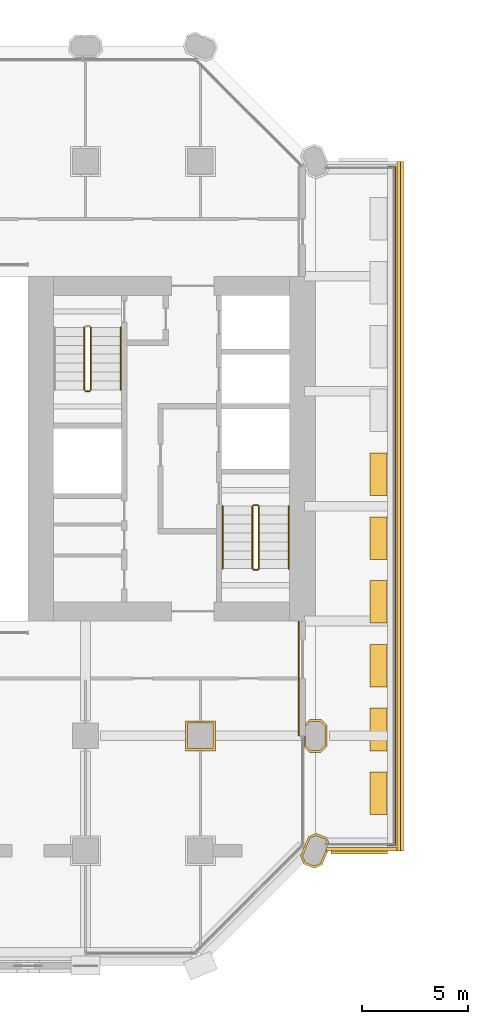
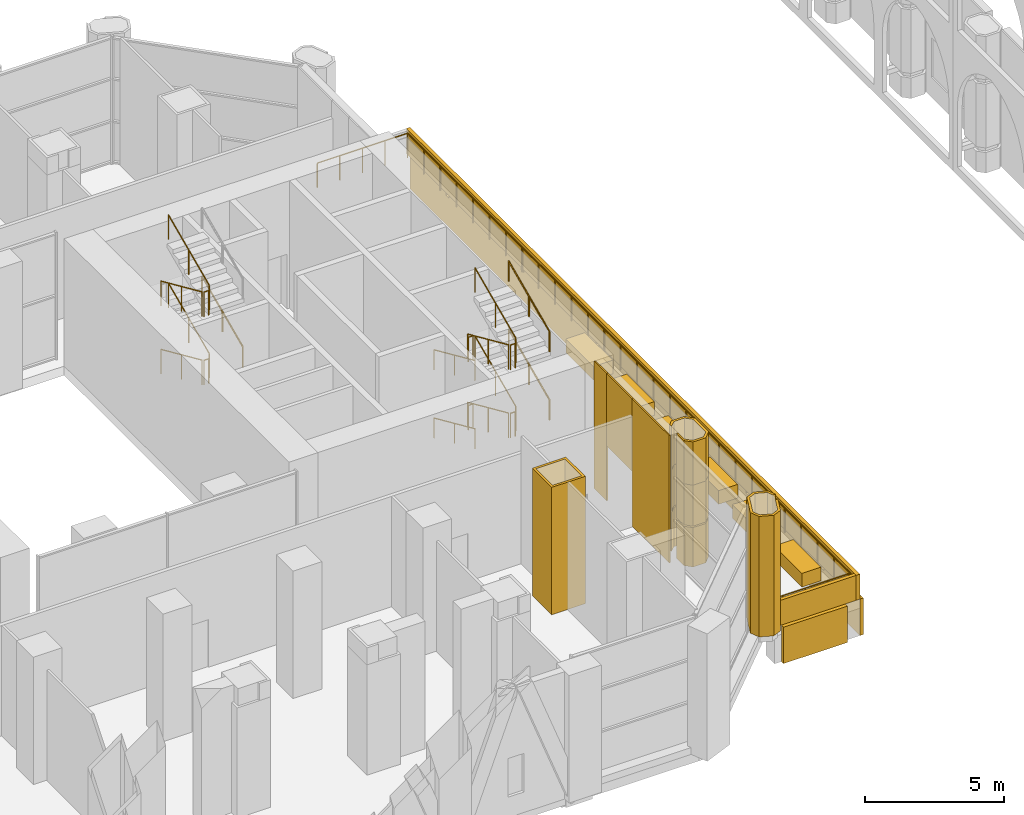
# One storey, part 25 of 34: 20 railings, 18 coverings.
"""IFC4 building model written with IfcOpenShell, lengths in metres."""

from ifc_helpers import new_model, si_unit, direction, frame, frame_2d, origin, origin_2d, place, context, subcontext, project, spatial, polyline, rectangle, circle, outline, extrude, material, layer, layer_set, type_object, element, save


model = new_model("IFC4")

# Units and contexts
model_context = context("Model", 3, precision=1e-05, world=origin(), true_north=direction((0.0, 1.0)))
body_context = subcontext(model_context, "Body", "Model", "MODEL_VIEW")
ifc_project = project(units=[si_unit("LENGTHUNIT", "METRE"), si_unit("AREAUNIT", "SQUARE_METRE"), si_unit("VOLUMEUNIT", "CUBIC_METRE"), si_unit("PLANEANGLEUNIT", "RADIAN"), si_unit("MASSUNIT", "GRAM", prefix="KILO")], contexts=[model_context])

# Site, building, storey
site_placement = place(None, origin())
site = spatial("IfcSite", under=ifc_project, at=site_placement, CompositionType="ELEMENT")
building_placement = place(site_placement, origin())
building = spatial("IfcBuilding", under=site, at=building_placement, Name="Tabaq Tower and Sports Hall", CompositionType="ELEMENT")
storey_placement = place(building_placement, frame((0.0, 0.0, 8.39990234375)))
storey = spatial("IfcBuildingStorey", under=building, at=storey_placement, Name="L01", CompositionType="ELEMENT", Elevation=8.39990234375)

# Coverings
ifc_material_1 = material(Name="Precast concrete C60/75", Category="concrete")
ifc_layer_1 = layer(ifc_material_1, 0.10009765625)
ifc_layer_set_1 = layer_set([ifc_layer_1], Name="Column cladding 100")
covering_type_1 = type_object("IfcCoveringType", Name="Column cladding 100", PredefinedType="CLADDING", material=ifc_layer_set_1)
covering_1_placement = place(storey_placement, origin())
element("IfcCovering", 1, at=covering_1_placement, inside=storey, type_object=covering_type_1, Name="Column cladding L01 CC-8C-P", PredefinedType="CLADDING", context=body_context, shape_type="SweptSolid", body=[
    extrude(outline(polyline([(37.100341796875, 11.499755859375), (38.499755859375, 11.499755859375), (38.499755859375, 10.100341796875), (37.100341796875, 10.100341796875), (37.100341796875, 11.499755859375)]), holes=[polyline([(38.400390625, 10.19970703125), (38.400390625, 11.400390625), (37.19970703125, 11.400390625), (37.19970703125, 10.19970703125), (38.400390625, 10.19970703125)])]), origin(), (0.0, 0.0, 1.0), 5.60009765625),
])
covering_2_placement = place(storey_placement, frame((0.0, 0.0, 0.300048828125)))
element("IfcCovering", 2, at=covering_2_placement, inside=storey, type_object=covering_type_1, Name="Column cladding L01 PC-9B-P", PredefinedType="CLADDING", context=body_context, shape_type="SweptSolid", body=[
    extrude(outline(polyline([(42.657470703125, 4.7861328125), (42.504150390625, 5.156494140625), (42.68212890625, 5.586181640625), (42.690185546875, 5.586181640625), (42.690185546875, 5.60595703125), (42.880126953125, 6.064208984375), (43.25048828125, 6.217529296875), (43.742431640625, 6.013916015625), (43.8681640625, 5.710205078125), (43.7607421875, 5.710205078125), (43.66650390625, 5.937744140625), (43.25048828125, 6.110107421875), (42.956298828125, 5.98828125), (42.61181640625, 5.156494140625), (42.733642578125, 4.8623046875), (43.149658203125, 4.68994140625), (43.44384765625, 4.811767578125), (43.69970703125, 5.4296875), (43.69970703125, 5.399658203125), (43.794921875, 5.399658203125), (43.519775390625, 4.73583984375), (43.149658203125, 4.582275390625), (42.657470703125, 4.7861328125)])), origin(), (0.0, 0.0, 1.0), 5.300048828125),
])
covering_3_placement = place(storey_placement, frame((0.0, 0.0, 0.1025390625)))
element("IfcCovering", 3, at=covering_3_placement, inside=storey, type_object=covering_type_1, Name="Column cladding L01 PC-9C-P", PredefinedType="CLADDING", context=body_context, shape_type="SweptSolid", body=[
    extrude(outline(polyline([(42.93359375, 10.025390625), (42.690185546875, 10.268798828125), (42.690185546875, 10.7998046875), (42.749755859375, 10.7998046875), (42.749755859375, 10.349853515625), (42.974853515625, 10.124755859375), (43.425048828125, 10.124755859375), (43.650390625, 10.349853515625), (43.650390625, 11.250244140625), (43.425048828125, 11.475341796875), (42.974853515625, 11.475341796875), (42.750244140625, 11.250732421875), (42.750244140625, 11.391357421875), (42.93359375, 11.57470703125), (43.46630859375, 11.57470703125), (43.749755859375, 11.291259765625), (43.749755859375, 10.30859375), (43.46630859375, 10.025390625), (42.93359375, 10.025390625)])), origin(), (0.0, 0.0, 1.0), 1.731689453125),
])
covering_4_placement = place(storey_placement, frame((0.0, 0.0, 1.899169921875)))
element("IfcCovering", 4, at=covering_4_placement, inside=storey, type_object=covering_type_1, Name="Column cladding L01 PC-9C-P 2", PredefinedType="CLADDING", context=body_context, shape_type="SweptSolid", body=[
    extrude(outline(polyline([(42.93359375, 10.025390625), (42.690185546875, 10.268798828125), (42.690185546875, 10.7998046875), (42.749755859375, 10.7998046875), (42.749755859375, 10.349853515625), (42.974853515625, 10.124755859375), (43.425048828125, 10.124755859375), (43.650390625, 10.349853515625), (43.650390625, 11.250244140625), (43.425048828125, 11.475341796875), (42.974853515625, 11.475341796875), (42.750244140625, 11.250732421875), (42.750244140625, 11.391357421875), (42.93359375, 11.57470703125), (43.46630859375, 11.57470703125), (43.749755859375, 11.291259765625), (43.749755859375, 10.30859375), (43.46630859375, 10.025390625), (42.93359375, 10.025390625)])), origin(), (0.0, 0.0, 1.0), 1.8017578125),
])
covering_5_placement = place(storey_placement, frame((0.0, 0.0, 3.700927734375)))
element("IfcCovering", 5, at=covering_5_placement, inside=storey, type_object=covering_type_1, Name="Column cladding L01 PC-9C-P head", PredefinedType="CLADDING", context=body_context, shape_type="SweptSolid", body=[
    extrude(outline(polyline([(42.690185546875, 10.268798828125), (42.690185546875, 10.7998046875), (42.749755859375, 10.7998046875), (42.749755859375, 10.349853515625), (42.974853515625, 10.124755859375), (43.425048828125, 10.124755859375), (43.650390625, 10.349853515625), (43.650390625, 11.250244140625), (43.425048828125, 11.475341796875), (42.974853515625, 11.475341796875), (42.750244140625, 11.250732421875), (42.750244140625, 11.391357421875), (42.93359375, 11.57470703125), (43.46630859375, 11.57470703125), (43.749755859375, 11.291259765625), (43.749755859375, 10.30859375), (43.46630859375, 10.025390625), (42.93359375, 10.025390625), (42.690185546875, 10.268798828125)])), origin(), (0.0, 0.0, 1.0), 1.899169921875),
])

# Railing
ifc_material_2 = material(Name="Stainless steel S316 and laminated glass", Category="steel")
railing_type_1 = type_object("IfcRailingType", Name="Guard 1100 steel and glass", PredefinedType="GUARDRAIL", material=ifc_material_2)
railing_1_placement = place(storey_placement, frame((43.199951171875, 5.64990234375, 0.0)))
element("IfcRailing", 6, at=railing_1_placement, inside=storey, type_object=railing_type_1, Name="Tray guard L01", PredefinedType="GUARDRAIL", context=body_context, shape_type="SweptSolid", body=[
    extrude(circle(Radius=0.02490234375, at=origin_2d()), frame((0.0, 0.0, 1.0751953125), z_axis=(1.0, 0.0, 0.0), x_axis=(0.0, 1.0, 0.0)), (0.0, 0.0, 1.0), 3.75),
    extrude(circle(Radius=0.02490234375, at=origin_2d()), frame((3.75, 0.0, 1.0751953125), z_axis=(0.0, 1.0, 0.0), x_axis=(-1.0, 0.0, 0.0)), (0.0, 0.0, 1.0), 31.900146484375),
    extrude(circle(Radius=0.02490234375, at=origin_2d()), frame((3.75, 31.900146484375, 1.0751953125), z_axis=(-1.0, 0.0, 0.0), x_axis=(0.0, -1.0, 0.0)), (0.0, 0.0, 1.0), 3.75),
    extrude(circle(Radius=0.02001953125, at=origin_2d()), origin(), (0.0, 0.0, 1.0), 1.050048828125),
    extrude(circle(Radius=0.02001953125, at=origin_2d()), frame((0.9375, 0.0, 0.0)), (0.0, 0.0, 1.0), 1.050048828125),
    extrude(circle(Radius=0.02001953125, at=origin_2d()), frame((1.875, 0.0, 0.0)), (0.0, 0.0, 1.0), 1.050048828125),
    extrude(circle(Radius=0.02001953125, at=origin_2d()), frame((2.8125, 0.0, 0.0)), (0.0, 0.0, 1.0), 1.050048828125),
    extrude(circle(Radius=0.02001953125, at=origin_2d()), frame((3.75, 0.0, 0.0)), (0.0, 0.0, 1.0), 1.050048828125),
    extrude(circle(Radius=0.02001953125, at=origin_2d()), frame((3.75, 1.181396484375, 0.0)), (0.0, 0.0, 1.0), 1.050048828125),
    extrude(circle(Radius=0.02001953125, at=origin_2d()), frame((3.75, 2.363037109375, 0.0)), (0.0, 0.0, 1.0), 1.050048828125),
    extrude(circle(Radius=0.02001953125, at=origin_2d()), frame((3.75, 3.54443359375, 0.0)), (0.0, 0.0, 1.0), 1.050048828125),
    extrude(circle(Radius=0.02001953125, at=origin_2d()), frame((3.75, 4.725830078125, 0.0)), (0.0, 0.0, 1.0), 1.050048828125),
    extrude(circle(Radius=0.02001953125, at=origin_2d()), frame((3.75, 5.907470703125, 0.0)), (0.0, 0.0, 1.0), 1.050048828125),
    extrude(circle(Radius=0.02001953125, at=origin_2d()), frame((3.75, 7.0888671875, 0.0)), (0.0, 0.0, 1.0), 1.050048828125),
    extrude(circle(Radius=0.02001953125, at=origin_2d()), frame((3.75, 8.2705078125, 0.0)), (0.0, 0.0, 1.0), 1.050048828125),
    extrude(circle(Radius=0.02001953125, at=origin_2d()), frame((3.75, 9.451904296875, 0.0)), (0.0, 0.0, 1.0), 1.050048828125),
    extrude(circle(Radius=0.02001953125, at=origin_2d()), frame((3.75, 10.63330078125, 0.0)), (0.0, 0.0, 1.0), 1.050048828125),
    extrude(circle(Radius=0.02001953125, at=origin_2d()), frame((3.75, 11.81494140625, 0.0)), (0.0, 0.0, 1.0), 1.050048828125),
    extrude(circle(Radius=0.02001953125, at=origin_2d()), frame((3.75, 12.996337890625, 0.0)), (0.0, 0.0, 1.0), 1.050048828125),
    extrude(circle(Radius=0.02001953125, at=origin_2d()), frame((3.75, 14.177734375, 0.0)), (0.0, 0.0, 1.0), 1.050048828125),
    extrude(circle(Radius=0.02001953125, at=origin_2d()), frame((3.75, 15.359375, 0.0)), (0.0, 0.0, 1.0), 1.050048828125),
    extrude(circle(Radius=0.02001953125, at=origin_2d()), frame((3.75, 16.540771484375, 0.0)), (0.0, 0.0, 1.0), 1.050048828125),
    extrude(circle(Radius=0.02001953125, at=origin_2d()), frame((3.75, 17.722412109375, 0.0)), (0.0, 0.0, 1.0), 1.050048828125),
    extrude(circle(Radius=0.02001953125, at=origin_2d()), frame((3.75, 18.90380859375, 0.0)), (0.0, 0.0, 1.0), 1.050048828125),
    extrude(circle(Radius=0.02001953125, at=origin_2d()), frame((3.75, 20.085205078125, 0.0)), (0.0, 0.0, 1.0), 1.050048828125),
    extrude(circle(Radius=0.02001953125, at=origin_2d()), frame((3.75, 21.266845703125, 0.0)), (0.0, 0.0, 1.0), 1.050048828125),
    extrude(circle(Radius=0.02001953125, at=origin_2d()), frame((3.75, 22.4482421875, 0.0)), (0.0, 0.0, 1.0), 1.050048828125),
    extrude(circle(Radius=0.02001953125, at=origin_2d()), frame((3.75, 23.629638671875, 0.0)), (0.0, 0.0, 1.0), 1.050048828125),
    extrude(circle(Radius=0.02001953125, at=origin_2d()), frame((3.75, 24.811279296875, 0.0)), (0.0, 0.0, 1.0), 1.050048828125),
    extrude(circle(Radius=0.02001953125, at=origin_2d()), frame((3.75, 25.99267578125, 0.0)), (0.0, 0.0, 1.0), 1.050048828125),
    extrude(circle(Radius=0.02001953125, at=origin_2d()), frame((3.75, 27.17431640625, 0.0)), (0.0, 0.0, 1.0), 1.050048828125),
    extrude(circle(Radius=0.02001953125, at=origin_2d()), frame((3.75, 28.355712890625, 0.0)), (0.0, 0.0, 1.0), 1.050048828125),
    extrude(circle(Radius=0.02001953125, at=origin_2d()), frame((3.75, 29.537109375, 0.0)), (0.0, 0.0, 1.0), 1.050048828125),
    extrude(circle(Radius=0.02001953125, at=origin_2d()), frame((3.75, 30.71875, 0.0)), (0.0, 0.0, 1.0), 1.050048828125),
    extrude(circle(Radius=0.02001953125, at=origin_2d()), frame((3.75, 31.900146484375, 0.0)), (0.0, 0.0, 1.0), 1.050048828125),
    extrude(circle(Radius=0.02001953125, at=origin_2d()), frame((2.8125, 31.900146484375, 0.0)), (0.0, 0.0, 1.0), 1.050048828125),
    extrude(circle(Radius=0.02001953125, at=origin_2d()), frame((1.875, 31.900146484375, 0.0)), (0.0, 0.0, 1.0), 1.050048828125),
    extrude(circle(Radius=0.02001953125, at=origin_2d()), frame((0.9375, 31.900146484375, 0.0)), (0.0, 0.0, 1.0), 1.050048828125),
    extrude(circle(Radius=0.02001953125, at=origin_2d()), frame((0.0, 31.900146484375, 0.0)), (0.0, 0.0, 1.0), 1.050048828125),
])

# Coverings
ifc_material_3 = material(Name="Planting soil and drainage layer")
covering_type_2 = type_object("IfcCoveringType", Name="Planter 2000x800x600", PredefinedType="USERDEFINED", material=ifc_material_3)
for number, where, z_axis, x_axis, name in (
    (7, (46.169921875, 8.10009765625, 0.0), (0.0, 0.0, 1.0), (0.0, 1.0, 0.0), "Planter L01"),
    (8, (46.169921875, 11.10009765625, 0.0), (0.0, 0.0, 1.0), (0.0, 1.0, 0.0), "Planter L01"),
    (9, (46.169921875, 14.10009765625, 0.0), (0.0, 0.0, 1.0), (0.0, 1.0, 0.0), "Planter L01"),
    (10, (46.169921875, 17.10009765625, 0.0), (0.0, 0.0, 1.0), (0.0, 1.0, 0.0), "Planter L01"),
    (11, (46.169921875, 20.10009765625, 0.0), (0.0, 0.0, 1.0), (0.0, 1.0, 0.0), "Planter L01"),
    (12, (46.169921875, 23.10009765625, 0.0), (0.0, 0.0, 1.0), (0.0, 1.0, 0.0), "Planter L01"),
):
    element("IfcCovering", number, at=place(storey_placement, frame(where, z_axis=z_axis, x_axis=x_axis)), inside=storey, type_object=covering_type_2, Name=name, ObjectType="PLANTER", PredefinedType="USERDEFINED", context=body_context, shape_type="SweptSolid", body=[
        extrude(rectangle(XDim=2.0, YDim=0.800048828125, at=origin_2d()), origin(), (0.0, 0.0, 1.0), 0.60009765625),
    ])

# Railings
ifc_material_4 = material(Name="Stainless steel", Category="steel")
railing_type_2 = type_object("IfcRailingType", Name="Stair guard", PredefinedType="GUARDRAIL", material=ifc_material_4)
railing_2_placement = place(storey_placement, frame((40.25, 21.60009765625, 0.1875)))
element("IfcRailing", 13, at=railing_2_placement, inside=storey, type_object=railing_type_2, Name="L01 ST3 stair guard 1", PredefinedType="GUARDRAIL", context=body_context, shape_type="SweptSolid", body=[
    extrude(circle(Radius=0.02392578125, at=origin_2d()), frame((0.0, 0.0, 1.076171875), z_axis=(0.0, -0.913147458458, 0.407629389411), x_axis=(1.0, 0.0, 0.0)), (0.0, 0.0, 1.0), 3.2197265625),
    extrude(circle(Radius=0.02099609375, at=origin_2d()), origin(), (0.0, 0.0, 1.0), 1.052001953125),
    extrude(circle(Radius=0.02099609375, at=origin_2d()), frame((0.0, -1.47021484375, 0.65625)), (0.0, 0.0, 1.0), 1.052001953125),
    extrude(circle(Radius=0.02099609375, at=origin_2d()), frame((0.0, -2.940185546875, 1.3125)), (0.0, 0.0, 1.0), 1.052001953125),
])
railing_3_placement = place(storey_placement, frame((40.300048828125, 18.610107421875, 1.5)))
element("IfcRailing", 14, at=railing_3_placement, inside=storey, type_object=railing_type_2, Name="L01 ST3 stair guard 2", PredefinedType="GUARDRAIL", context=body_context, shape_type="SweptSolid", body=[
    extrude(circle(Radius=0.02392578125, at=origin_2d()), frame((0.0, 0.0, 1.076171875), z_axis=(1.0, 0.0, 0.0), x_axis=(0.0, 1.0, 0.0)), (0.0, 0.0, 1.0), 0.199951171875),
    extrude(circle(Radius=0.02099609375, at=origin_2d()), origin(), (0.0, 0.0, 1.0), 1.052001953125),
    extrude(circle(Radius=0.02099609375, at=origin_2d()), frame((0.199951171875, 0.0, 0.0)), (0.0, 0.0, 1.0), 1.052001953125),
])
railing_4_placement = place(storey_placement, frame((40.550048828125, 18.659912109375, 1.6875)))
element("IfcRailing", 15, at=railing_4_placement, inside=storey, type_object=railing_type_2, Name="L01 ST3 stair guard 3", PredefinedType="GUARDRAIL", context=body_context, shape_type="SweptSolid", body=[
    extrude(circle(Radius=0.02392578125, at=origin_2d()), frame((0.0, 0.0, 1.076171875), z_axis=(0.0, 0.913147458458, 0.407629389411), x_axis=(-1.0, 0.0, 0.0)), (0.0, 0.0, 1.0), 3.2197265625),
    extrude(circle(Radius=0.02099609375, at=origin_2d()), origin(), (0.0, 0.0, 1.0), 1.052001953125),
    extrude(circle(Radius=0.02099609375, at=origin_2d()), frame((0.0, 1.47021484375, 0.65625)), (0.0, 0.0, 1.0), 1.052001953125),
    extrude(circle(Radius=0.02099609375, at=origin_2d()), frame((0.0, 2.940185546875, 1.3125)), (0.0, 0.0, 1.0), 1.052001953125),
])
railing_5_placement = place(storey_placement, frame((40.300048828125, 21.64990234375, 3.0)))
element("IfcRailing", 16, at=railing_5_placement, inside=storey, type_object=railing_type_2, Name="L01 ST3 stair guard 4", PredefinedType="GUARDRAIL", context=body_context, shape_type="SweptSolid", body=[
    extrude(circle(Radius=0.02392578125, at=origin_2d()), frame((0.0, 0.0, 1.076171875), z_axis=(1.0, 0.0, 0.0), x_axis=(0.0, 1.0, 0.0)), (0.0, 0.0, 1.0), 0.199951171875),
    extrude(circle(Radius=0.02099609375, at=origin_2d()), origin(), (0.0, 0.0, 1.0), 1.052001953125),
    extrude(circle(Radius=0.02099609375, at=origin_2d()), frame((0.199951171875, 0.0, 0.0)), (0.0, 0.0, 1.0), 1.052001953125),
])
railing_6_placement = place(storey_placement, frame((40.25, 21.60009765625, 3.1875)))
element("IfcRailing", 17, at=railing_6_placement, inside=storey, type_object=railing_type_2, Name="L01 ST3 stair guard 5", PredefinedType="GUARDRAIL", context=body_context, shape_type="SweptSolid", body=[
    extrude(circle(Radius=0.02392578125, at=origin_2d()), frame((0.0, 0.0, 1.076171875), z_axis=(0.0, -0.913147458458, 0.407629389411), x_axis=(1.0, 0.0, 0.0)), (0.0, 0.0, 1.0), 3.2197265625),
    extrude(circle(Radius=0.02099609375, at=origin_2d()), origin(), (0.0, 0.0, 1.0), 1.052001953125),
    extrude(circle(Radius=0.02099609375, at=origin_2d()), frame((0.0, -1.47021484375, 0.65625)), (0.0, 0.0, 1.0), 1.052001953125),
    extrude(circle(Radius=0.02099609375, at=origin_2d()), frame((0.0, -2.940185546875, 1.3125)), (0.0, 0.0, 1.0), 1.052001953125),
])
railing_7_placement = place(storey_placement, frame((40.300048828125, 18.610107421875, 4.5)))
element("IfcRailing", 18, at=railing_7_placement, inside=storey, type_object=railing_type_2, Name="L01 ST3 stair guard 6", PredefinedType="GUARDRAIL", context=body_context, shape_type="SweptSolid", body=[
    extrude(circle(Radius=0.02392578125, at=origin_2d()), frame((0.0, 0.0, 1.076171875), z_axis=(1.0, 0.0, 0.0), x_axis=(0.0, 1.0, 0.0)), (0.0, 0.0, 1.0), 0.199951171875),
    extrude(circle(Radius=0.02099609375, at=origin_2d()), origin(), (0.0, 0.0, 1.0), 1.052001953125),
    extrude(circle(Radius=0.02099609375, at=origin_2d()), frame((0.199951171875, 0.0, 0.0)), (0.0, 0.0, 1.0), 1.052001953125),
])
railing_8_placement = place(storey_placement, frame((40.550048828125, 18.659912109375, 4.6875)))
element("IfcRailing", 19, at=railing_8_placement, inside=storey, type_object=railing_type_2, Name="L01 ST3 stair guard 7", PredefinedType="GUARDRAIL", context=body_context, shape_type="SweptSolid", body=[
    extrude(circle(Radius=0.02392578125, at=origin_2d()), frame((0.0, 0.0, 1.076171875), z_axis=(0.0, 0.913147458458, 0.407629389411), x_axis=(-1.0, 0.0, 0.0)), (0.0, 0.0, 1.0), 3.2197265625),
    extrude(circle(Radius=0.02099609375, at=origin_2d()), origin(), (0.0, 0.0, 1.0), 1.052001953125),
    extrude(circle(Radius=0.02099609375, at=origin_2d()), frame((0.0, 1.47021484375, 0.65625)), (0.0, 0.0, 1.0), 1.052001953125),
    extrude(circle(Radius=0.02099609375, at=origin_2d()), frame((0.0, 2.940185546875, 1.3125)), (0.0, 0.0, 1.0), 1.052001953125),
])
railing_9_placement = place(storey_placement, frame((40.300048828125, 21.64990234375, 0.0)))
element("IfcRailing", 20, at=railing_9_placement, inside=storey, type_object=railing_type_2, Name="L01 ST3 stair guard 8", PredefinedType="GUARDRAIL", context=body_context, shape_type="SweptSolid", body=[
    extrude(circle(Radius=0.02392578125, at=origin_2d()), frame((0.0, 0.0, 1.076171875), z_axis=(1.0, 0.0, 0.0), x_axis=(0.0, 1.0, 0.0)), (0.0, 0.0, 1.0), 0.199951171875),
    extrude(circle(Radius=0.02099609375, at=origin_2d()), origin(), (0.0, 0.0, 1.0), 1.052001953125),
    extrude(circle(Radius=0.02099609375, at=origin_2d()), frame((0.199951171875, 0.0, 0.0)), (0.0, 0.0, 1.0), 1.052001953125),
])
railing_10_placement = place(storey_placement, frame((32.35009765625, 30.0, 0.1875)))
element("IfcRailing", 21, at=railing_10_placement, inside=storey, type_object=railing_type_2, Name="L01 ST4 stair guard 1", PredefinedType="GUARDRAIL", context=body_context, shape_type="SweptSolid", body=[
    extrude(circle(Radius=0.02392578125, at=origin_2d()), frame((0.0, 0.0, 1.076171875), z_axis=(0.0, -0.913134858117, 0.407657614785), x_axis=(1.0, 0.0, 0.0)), (0.0, 0.0, 1.0), 3.2197265625),
    extrude(circle(Radius=0.02099609375, at=origin_2d()), origin(), (0.0, 0.0, 1.0), 1.052001953125),
    extrude(circle(Radius=0.02099609375, at=origin_2d()), frame((0.0, -1.469970703125, 0.65625)), (0.0, 0.0, 1.0), 1.052001953125),
    extrude(circle(Radius=0.02099609375, at=origin_2d()), frame((0.0, -2.93994140625, 1.3125)), (0.0, 0.0, 1.0), 1.052001953125),
])
railing_11_placement = place(storey_placement, frame((32.39990234375, 27.010009765625, 1.5)))
element("IfcRailing", 22, at=railing_11_placement, inside=storey, type_object=railing_type_2, Name="L01 ST4 stair guard 2", PredefinedType="GUARDRAIL", context=body_context, shape_type="SweptSolid", body=[
    extrude(circle(Radius=0.02392578125, at=origin_2d()), frame((0.0, 0.0, 1.076171875), z_axis=(1.0, 0.0, 0.0), x_axis=(0.0, 1.0, 0.0)), (0.0, 0.0, 1.0), 0.2001953125),
    extrude(circle(Radius=0.02099609375, at=origin_2d()), origin(), (0.0, 0.0, 1.0), 1.052001953125),
    extrude(circle(Radius=0.02099609375, at=origin_2d()), frame((0.2001953125, 0.0, 0.0)), (0.0, 0.0, 1.0), 1.052001953125),
])
railing_12_placement = place(storey_placement, frame((32.64990234375, 27.06005859375, 1.6875)))
element("IfcRailing", 23, at=railing_12_placement, inside=storey, type_object=railing_type_2, Name="L01 ST4 stair guard 3", PredefinedType="GUARDRAIL", context=body_context, shape_type="SweptSolid", body=[
    extrude(circle(Radius=0.02392578125, at=origin_2d()), frame((0.0, 0.0, 1.076171875), z_axis=(0.0, 0.913134858117, 0.407657614785), x_axis=(-1.0, 0.0, 0.0)), (0.0, 0.0, 1.0), 3.2197265625),
    extrude(circle(Radius=0.02099609375, at=origin_2d()), origin(), (0.0, 0.0, 1.0), 1.052001953125),
    extrude(circle(Radius=0.02099609375, at=origin_2d()), frame((0.0, 1.469970703125, 0.65625)), (0.0, 0.0, 1.0), 1.052001953125),
    extrude(circle(Radius=0.02099609375, at=origin_2d()), frame((0.0, 2.93994140625, 1.3125)), (0.0, 0.0, 1.0), 1.052001953125),
])
railing_13_placement = place(storey_placement, frame((32.35009765625, 30.0, 3.1875)))
element("IfcRailing", 24, at=railing_13_placement, inside=storey, type_object=railing_type_2, Name="L01 ST4 stair guard 5", PredefinedType="GUARDRAIL", context=body_context, shape_type="SweptSolid", body=[
    extrude(circle(Radius=0.02392578125, at=origin_2d()), frame((0.0, 0.0, 1.076171875), z_axis=(0.0, -0.913134858117, 0.407657614785), x_axis=(1.0, 0.0, 0.0)), (0.0, 0.0, 1.0), 3.2197265625),
    extrude(circle(Radius=0.02099609375, at=origin_2d()), origin(), (0.0, 0.0, 1.0), 1.052001953125),
    extrude(circle(Radius=0.02099609375, at=origin_2d()), frame((0.0, -1.469970703125, 0.65625)), (0.0, 0.0, 1.0), 1.052001953125),
    extrude(circle(Radius=0.02099609375, at=origin_2d()), frame((0.0, -2.93994140625, 1.3125)), (0.0, 0.0, 1.0), 1.052001953125),
])
railing_14_placement = place(storey_placement, frame((32.39990234375, 27.010009765625, 4.5)))
element("IfcRailing", 25, at=railing_14_placement, inside=storey, type_object=railing_type_2, Name="L01 ST4 stair guard 6", PredefinedType="GUARDRAIL", context=body_context, shape_type="SweptSolid", body=[
    extrude(circle(Radius=0.02392578125, at=origin_2d()), frame((0.0, 0.0, 1.076171875), z_axis=(1.0, 0.0, 0.0), x_axis=(0.0, 1.0, 0.0)), (0.0, 0.0, 1.0), 0.2001953125),
    extrude(circle(Radius=0.02099609375, at=origin_2d()), origin(), (0.0, 0.0, 1.0), 1.052001953125),
    extrude(circle(Radius=0.02099609375, at=origin_2d()), frame((0.2001953125, 0.0, 0.0)), (0.0, 0.0, 1.0), 1.052001953125),
])
railing_15_placement = place(storey_placement, frame((32.64990234375, 27.06005859375, 4.6875)))
element("IfcRailing", 26, at=railing_15_placement, inside=storey, type_object=railing_type_2, Name="L01 ST4 stair guard 7", PredefinedType="GUARDRAIL", context=body_context, shape_type="SweptSolid", body=[
    extrude(circle(Radius=0.02392578125, at=origin_2d()), frame((0.0, 0.0, 1.076171875), z_axis=(0.0, 0.913134858117, 0.407657614785), x_axis=(-1.0, 0.0, 0.0)), (0.0, 0.0, 1.0), 3.2197265625),
    extrude(circle(Radius=0.02099609375, at=origin_2d()), origin(), (0.0, 0.0, 1.0), 1.052001953125),
    extrude(circle(Radius=0.02099609375, at=origin_2d()), frame((0.0, 1.469970703125, 0.65625)), (0.0, 0.0, 1.0), 1.052001953125),
    extrude(circle(Radius=0.02099609375, at=origin_2d()), frame((0.0, 2.93994140625, 1.3125)), (0.0, 0.0, 1.0), 1.052001953125),
])
ifc_material_5 = material(Name="Stainless steel", Category="steel")
railing_type_3 = type_object("IfcRailingType", Name="Stair handrail", PredefinedType="HANDRAIL", material=ifc_material_5)
railing_16_placement = place(storey_placement, frame((38.85009765625, 21.60009765625, 0.1875)))
element("IfcRailing", 27, at=railing_16_placement, inside=storey, type_object=railing_type_3, Name="L01 ST3 stair handrail 1", PredefinedType="HANDRAIL", context=body_context, shape_type="SweptSolid", body=[
    extrude(circle(Radius=0.02392578125, at=origin_2d()), frame((0.0, 0.0, 0.8759765625), z_axis=(0.0, -0.913147458458, 0.407629389411), x_axis=(1.0, 0.0, 0.0)), (0.0, 0.0, 1.0), 3.2197265625),
    extrude(circle(Radius=0.02099609375, at=origin_2d()), origin(), (0.0, 0.0, 1.0), 0.851806640625),
    extrude(circle(Radius=0.02099609375, at=origin_2d()), frame((0.0, -1.47021484375, 0.65625)), (0.0, 0.0, 1.0), 0.851806640625),
    extrude(circle(Radius=0.02099609375, at=origin_2d()), frame((0.0, -2.940185546875, 1.3125)), (0.0, 0.0, 1.0), 0.851806640625),
])
railing_17_placement = place(storey_placement, frame((41.949951171875, 18.659912109375, 1.6875)))
element("IfcRailing", 28, at=railing_17_placement, inside=storey, type_object=railing_type_3, Name="L01 ST3 stair handrail 2", PredefinedType="HANDRAIL", context=body_context, shape_type="SweptSolid", body=[
    extrude(circle(Radius=0.02392578125, at=origin_2d()), frame((0.0, 0.0, 0.8759765625), z_axis=(0.0, 0.913147458458, 0.407629389411), x_axis=(-1.0, 0.0, 0.0)), (0.0, 0.0, 1.0), 3.2197265625),
    extrude(circle(Radius=0.02099609375, at=origin_2d()), origin(), (0.0, 0.0, 1.0), 0.851806640625),
    extrude(circle(Radius=0.02099609375, at=origin_2d()), frame((0.0, 1.47021484375, 0.65625)), (0.0, 0.0, 1.0), 0.851806640625),
    extrude(circle(Radius=0.02099609375, at=origin_2d()), frame((0.0, 2.940185546875, 1.3125)), (0.0, 0.0, 1.0), 0.851806640625),
])
railing_18_placement = place(storey_placement, frame((38.85009765625, 21.60009765625, 3.1875)))
element("IfcRailing", 29, at=railing_18_placement, inside=storey, type_object=railing_type_3, Name="L01 ST3 stair handrail 3", PredefinedType="HANDRAIL", context=body_context, shape_type="SweptSolid", body=[
    extrude(circle(Radius=0.02392578125, at=origin_2d()), frame((0.0, 0.0, 0.8759765625), z_axis=(0.0, -0.913147458458, 0.407629389411), x_axis=(1.0, 0.0, 0.0)), (0.0, 0.0, 1.0), 3.2197265625),
    extrude(circle(Radius=0.02099609375, at=origin_2d()), origin(), (0.0, 0.0, 1.0), 0.851806640625),
    extrude(circle(Radius=0.02099609375, at=origin_2d()), frame((0.0, -1.47021484375, 0.65625)), (0.0, 0.0, 1.0), 0.851806640625),
    extrude(circle(Radius=0.02099609375, at=origin_2d()), frame((0.0, -2.940185546875, 1.3125)), (0.0, 0.0, 1.0), 0.851806640625),
])
railing_19_placement = place(storey_placement, frame((41.949951171875, 18.659912109375, 4.6875)))
element("IfcRailing", 30, at=railing_19_placement, inside=storey, type_object=railing_type_3, Name="L01 ST3 stair handrail 4", PredefinedType="HANDRAIL", context=body_context, shape_type="SweptSolid", body=[
    extrude(circle(Radius=0.02392578125, at=origin_2d()), frame((0.0, 0.0, 0.8759765625), z_axis=(0.0, 0.913147458458, 0.407629389411), x_axis=(-1.0, 0.0, 0.0)), (0.0, 0.0, 1.0), 3.2197265625),
    extrude(circle(Radius=0.02099609375, at=origin_2d()), origin(), (0.0, 0.0, 1.0), 0.851806640625),
    extrude(circle(Radius=0.02099609375, at=origin_2d()), frame((0.0, 1.47021484375, 0.65625)), (0.0, 0.0, 1.0), 0.851806640625),
    extrude(circle(Radius=0.02099609375, at=origin_2d()), frame((0.0, 2.940185546875, 1.3125)), (0.0, 0.0, 1.0), 0.851806640625),
])
railing_20_placement = place(storey_placement, frame((34.050048828125, 27.06005859375, 1.6875)))
element("IfcRailing", 31, at=railing_20_placement, inside=storey, type_object=railing_type_3, Name="L01 ST4 stair handrail 2", PredefinedType="HANDRAIL", context=body_context, shape_type="SweptSolid", body=[
    extrude(circle(Radius=0.02392578125, at=origin_2d()), frame((0.0, 0.0, 0.8759765625), z_axis=(0.0, 0.913134858117, 0.407657614785), x_axis=(-1.0, 0.0, 0.0)), (0.0, 0.0, 1.0), 3.2197265625),
    extrude(circle(Radius=0.02099609375, at=origin_2d()), origin(), (0.0, 0.0, 1.0), 0.851806640625),
    extrude(circle(Radius=0.02099609375, at=origin_2d()), frame((0.0, 1.469970703125, 0.65625)), (0.0, 0.0, 1.0), 0.851806640625),
    extrude(circle(Radius=0.02099609375, at=origin_2d()), frame((0.0, 2.93994140625, 1.3125)), (0.0, 0.0, 1.0), 0.851806640625),
])

# Coverings
ifc_material_6 = material(Name="Precast concrete C60/75", Category="concrete")
ifc_layer_2 = layer(ifc_material_6, 0.14990234375)
ifc_layer_set_2 = layer_set([ifc_layer_2], Name="Tray fascia 1200")
covering_type_3 = type_object("IfcCoveringType", Name="Tray fascia 1200", PredefinedType="CLADDING", material=ifc_layer_set_2)
covering_6_placement = place(storey_placement, frame((43.9404296875, 5.324951171875, -1.599853515625), z_axis=(0.0, 0.0, 1.0), x_axis=(1.0, 0.0, 0.0)))
element("IfcCovering", 32, at=covering_6_placement, inside=storey, type_object=covering_type_3, Name="Tray fascia L01 EBT", PredefinedType="CLADDING", context=body_context, shape_type="SweptSolid", body=[
    extrude(rectangle(XDim=2.65966796875, YDim=0.14990234375, at=frame_2d((1.329833984375, 0.0))), origin(), (0.0, 0.0, 1.0), 1.599853515625),
])
covering_7_placement = place(storey_placement, frame((47.27490234375, 5.39990234375, -1.599853515625), z_axis=(0.0, 0.0, 1.0), x_axis=(0.0, 1.0, 0.0)))
element("IfcCovering", 33, at=covering_7_placement, inside=storey, type_object=covering_type_3, Name="Tray fascia L01 EBT", PredefinedType="CLADDING", context=body_context, shape_type="SweptSolid", body=[
    extrude(outline(polyline([(0.0, 0.0), (32.400146484375, 0.0), (32.400146484375, 1.599853515625), (0.0, 1.599853515625), (0.0, 0.0)]), holes=[polyline([(2.81005859375, 1.510009765625), (2.81005859375, 1.2900390625), (2.590087890625, 1.2900390625), (2.590087890625, 1.510009765625), (2.81005859375, 1.510009765625)]), polyline([(8.2099609375, 1.2900390625), (7.989990234375, 1.2900390625), (7.989990234375, 1.510009765625), (8.2099609375, 1.510009765625), (8.2099609375, 1.2900390625)]), polyline([(13.610107421875, 1.2900390625), (13.389892578125, 1.2900390625), (13.389892578125, 1.510009765625), (13.610107421875, 1.510009765625), (13.610107421875, 1.2900390625)]), polyline([(19.010009765625, 1.510009765625), (19.010009765625, 1.2900390625), (18.7900390625, 1.2900390625), (18.7900390625, 1.510009765625), (19.010009765625, 1.510009765625)]), polyline([(24.409912109375, 1.2900390625), (24.18994140625, 1.2900390625), (24.18994140625, 1.510009765625), (24.409912109375, 1.510009765625), (24.409912109375, 1.2900390625)]), polyline([(29.81005859375, 1.2900390625), (29.590087890625, 1.2900390625), (29.590087890625, 1.510009765625), (29.81005859375, 1.510009765625), (29.81005859375, 1.2900390625)])]), frame((0.0, 0.074951171875, 0.0), z_axis=(0.0, -1.0, 0.0), x_axis=(1.0, 0.0, 0.0)), (0.0, 0.0, 1.0), 0.14990234375),
])
ifc_material_7 = material(Name="Precast concrete C60/75", Category="concrete")
ifc_layer_3 = layer(ifc_material_7, 0.14990234375)
ifc_layer_set_3 = layer_set([ifc_layer_3], Name="Tray upstand cladding 1100")
covering_type_4 = type_object("IfcCoveringType", Name="Tray upstand cladding 1100", PredefinedType="CLADDING", material=ifc_layer_set_3)
covering_8_placement = place(storey_placement, frame((47.125, 5.39990234375, 0.0), z_axis=(0.0, 0.0, 1.0), x_axis=(0.0, 1.0, 0.0)))
element("IfcCovering", 34, at=covering_8_placement, inside=storey, type_object=covering_type_4, Name="Tray upstand cladding L01", PredefinedType="CLADDING", context=body_context, shape_type="SweptSolid", body=[
    extrude(rectangle(XDim=32.400146484375, YDim=0.14990234375, at=frame_2d((16.2001953125, 0.0))), origin(), (0.0, 0.0, 1.0), 1.10009765625),
])
covering_9_placement = place(storey_placement, frame((43.699951171875, 5.47509765625, 0.0), z_axis=(0.0, 0.0, 1.0), x_axis=(1.0, 0.0, 0.0)))
element("IfcCovering", 35, at=covering_9_placement, inside=storey, type_object=covering_type_4, Name="Tray upstand cladding L01", PredefinedType="CLADDING", context=body_context, shape_type="SweptSolid", body=[
    extrude(rectangle(XDim=3.35009765625, YDim=0.14990234375, at=frame_2d((1.675048828125, 0.0))), origin(), (0.0, 0.0, 1.0), 1.10009765625),
])
ifc_material_8 = material(Name="Precast concrete C60/75", Category="concrete")
ifc_layer_4 = layer(ifc_material_8, 0.06005859375)
ifc_layer_set_4 = layer_set([ifc_layer_4], Name="White precast cladding panel 60 C60/75")
covering_type_5 = type_object("IfcCoveringType", Name="White precast cladding panel 60 C60/75", PredefinedType="CLADDING", material=ifc_layer_set_4)
covering_10_placement = place(storey_placement, frame((42.419921875, 10.800048828125, 0.0), z_axis=(0.0, 0.0, 1.0), x_axis=(0.0, 1.0, 0.0)))
element("IfcCovering", 36, at=covering_10_placement, inside=storey, type_object=covering_type_5, Name="White precast cladding panel L01 infill02-0-1", PredefinedType="CLADDING", context=body_context, shape_type="SweptSolid", body=[
    extrude(rectangle(XDim=2.68994140625, YDim=0.06005859375, at=frame_2d((1.344970703125, 0.0))), origin(), (0.0, 0.0, 1.0), 5.60009765625),
])
covering_11_placement = place(storey_placement, frame((42.419921875, 13.489990234375, 2.41015625), z_axis=(0.0, 0.0, 1.0), x_axis=(0.0, 1.0, 0.0)))
element("IfcCovering", 37, at=covering_11_placement, inside=storey, type_object=covering_type_5, Name="White precast cladding panel L01 infill02-0-1 2", PredefinedType="CLADDING", context=body_context, shape_type="SweptSolid", body=[
    extrude(rectangle(XDim=1.820068359375, YDim=0.06005859375, at=frame_2d((0.91015625, 0.0))), origin(), (0.0, 0.0, 1.0), 3.18994140625),
])
covering_12_placement = place(storey_placement, frame((42.419921875, 15.31005859375, 0.0), z_axis=(0.0, 0.0, 1.0), x_axis=(0.0, 1.0, 0.0)))
element("IfcCovering", 38, at=covering_12_placement, inside=storey, type_object=covering_type_5, Name="White precast cladding panel L01 infill02-0-1 3", PredefinedType="CLADDING", context=body_context, shape_type="SweptSolid", body=[
    extrude(rectangle(XDim=0.889892578125, YDim=0.06005859375, at=frame_2d((0.44482421875, 0.0))), origin(), (0.0, 0.0, 1.0), 5.60009765625),
])

save(model, "model.ifc")
